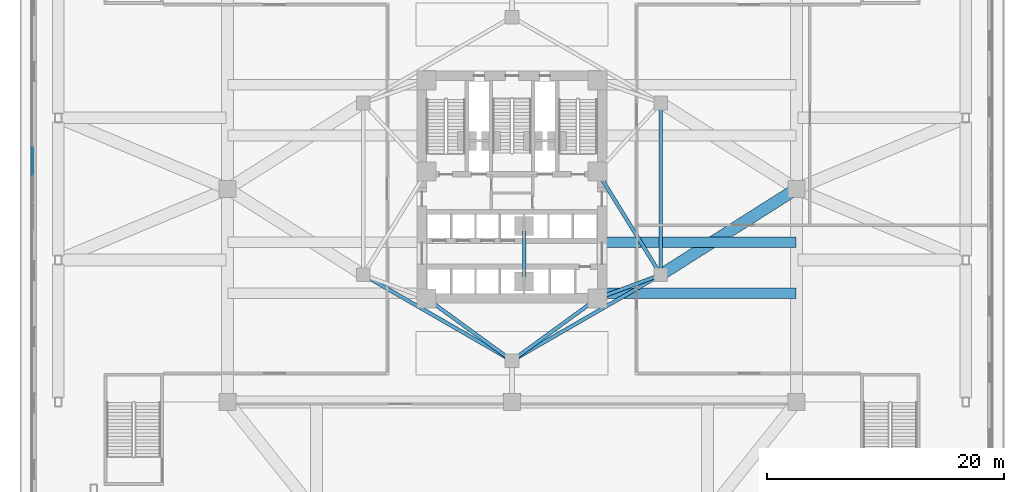
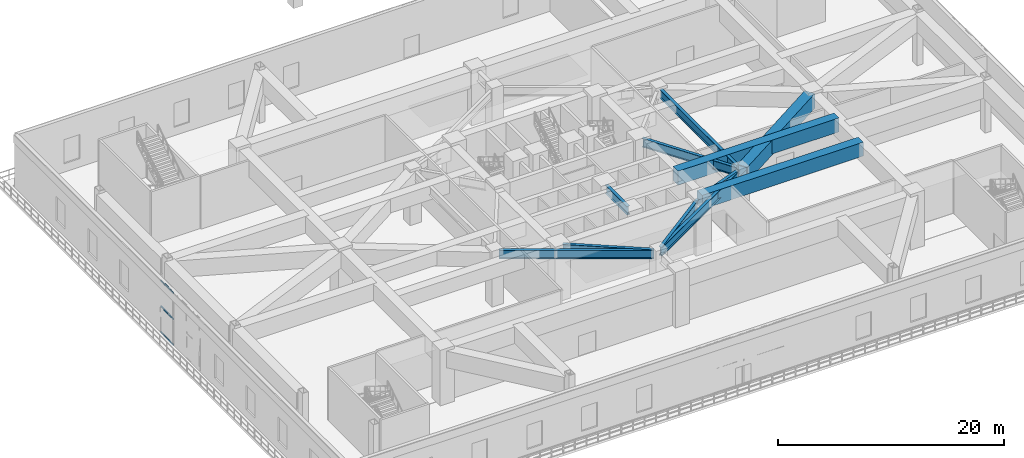
# One storey, part 5 of 25: 11 beams, 3 members, 1 element without a shape of its own.
"""IFC4 building model written with IfcOpenShell, lengths in metres."""

from ifc_helpers import new_model, si_unit, direction, frame, origin, origin_2d, place, context, subcontext, project, spatial, rectangle, hollow_rectangle, i_section, extrude, material, layer, layer_set, material_profile, profile_set, type_object, element, aggregate, save


model = new_model("IFC4")

# Units and contexts
model_context = context("Model", 3, precision=1e-05, world=origin(), true_north=direction((0.0, 1.0)))
body_context = subcontext(model_context, "Body", "Model", "MODEL_VIEW")
ifc_project = project(units=[si_unit("LENGTHUNIT", "METRE"), si_unit("AREAUNIT", "SQUARE_METRE"), si_unit("VOLUMEUNIT", "CUBIC_METRE"), si_unit("PLANEANGLEUNIT", "RADIAN"), si_unit("MASSUNIT", "GRAM", prefix="KILO")], contexts=[model_context])

# Site, building, storey
site_placement = place(None, origin())
site = spatial("IfcSite", under=ifc_project, at=site_placement, CompositionType="ELEMENT")
building_placement = place(site_placement, origin())
building = spatial("IfcBuilding", under=site, at=building_placement, Name="Apsidion Concourse Tower", CompositionType="ELEMENT")
storey_placement = place(building_placement, frame((0.0, 0.0, 11.5)))
storey = spatial("IfcBuildingStorey", under=building, at=storey_placement, Name="L02", CompositionType="ELEMENT", Elevation=11.5)

# Beams
ifc_material_1 = material(Name="Structural steel ASTM A992 Grade 50", Category="steel")
ifc_material_profile_1 = material_profile(ifc_material_1, i_section(OverallWidth=0.31005859375, OverallDepth=0.931884765625, WebThickness=0.02099609375, FlangeThickness=0.034423828125, at=origin_2d()), Name="W36X210")
ifc_profile_set_1 = profile_set([ifc_material_profile_1], Name="Structural steel ASTM A992 Grade 50")
beam_type_1 = type_object("IfcBeamType", Name="BM-G-W36", PredefinedType="USERDEFINED", material=ifc_profile_set_1)
beam_1_placement = place(storey_placement, frame((12.185302734375, -7.389892578125, 5.23388671875), z_axis=(-0.936913021145, -0.349562570664, 0.0), x_axis=(0.349562570664, -0.936913021145, 0.0)))
element("IfcBeam", 1, at=beam_1_placement, inside=storey, type_object=beam_type_1, Name="L02 Core Coupling Girder IC2-SC2", ObjectType="GIRDER", PredefinedType="USERDEFINED", context=body_context, shape_type="SweptSolid", body=[
    extrude(i_section(OverallWidth=0.31005859375, OverallDepth=0.931884765625, WebThickness=0.02099609375, FlangeThickness=0.034423828125, at=origin_2d()), origin(), (0.0, 0.0, 1.0), 4.921142578125),
])
beam_2_placement = place(storey_placement, frame((12.35009765625, -6.909423828125, 5.23388671875), z_axis=(-0.524524009763, 0.851395656074, 0.0), x_axis=(-0.851395656074, -0.524524009763, 0.0)))
element("IfcBeam", 2, at=beam_2_placement, inside=storey, type_object=beam_type_1, Name="L02 Core Coupling Girder IC2-SC3", ObjectType="GIRDER", PredefinedType="USERDEFINED", context=body_context, shape_type="SweptSolid", body=[
    extrude(i_section(OverallWidth=0.31005859375, OverallDepth=0.931884765625, WebThickness=0.02099609375, FlangeThickness=0.034423828125, at=origin_2d()), origin(), (0.0, 0.0, 1.0), 9.41845703125),
])
for number, where, z_axis, x_axis, name in (
    (3, (-0.3232421875, -14.264404296875, 5.23388671875), (-0.807993498909, 0.589191399905, 0.0), (-0.589191399905, -0.807993498909, 0.0), "L02 Core Coupling Girder IC6-SC1"),
    (4, (0.3232421875, -14.264404296875, 5.23388671875), (0.807993498909, 0.589191399905, 0.0), (-0.589191399905, 0.807993498909, 0.0), "L02 Core Coupling Girder IC6-SC2"),
):
    element("IfcBeam", number, at=place(storey_placement, frame(where, z_axis=z_axis, x_axis=x_axis)), inside=storey, type_object=beam_type_1, Name=name, ObjectType="GIRDER", PredefinedType="USERDEFINED", context=body_context, shape_type="SweptSolid", body=[
        extrude(i_section(OverallWidth=0.31005859375, OverallDepth=0.931884765625, WebThickness=0.02099609375, FlangeThickness=0.034423828125, at=origin_2d()), origin(), (0.0, 0.0, 1.0), 8.11083984375),
    ])
beam_3_placement = place(storey_placement, frame((12.56005859375, 6.85009765625, 5.23388671875), z_axis=(0.0, -1.0, 0.0), x_axis=(1.0, 0.0, 0.0)))
element("IfcBeam", 5, at=beam_3_placement, inside=storey, type_object=beam_type_1, Name="L02 Core Coupling Girder IC3-IC2", ObjectType="GIRDER", PredefinedType="USERDEFINED", context=body_context, shape_type="SweptSolid", body=[
    extrude(i_section(OverallWidth=0.31005859375, OverallDepth=0.931884765625, WebThickness=0.02099609375, FlangeThickness=0.034423828125, at=origin_2d()), origin(), (0.0, 0.0, 1.0), 13.7001953125),
])
for number, where, z_axis, x_axis, name in (
    (6, (12.213623046875, -7.449951171875, 5.23388671875), (-0.866070471464, -0.499921932364, 0.0), (0.499921932364, -0.866070471464, 0.0), "L02 Core Coupling Girder IC2-IC6"),
    (7, (-0.346435546875, -14.300048828125, 5.23388671875), (-0.866070471464, 0.499921932364, 0.0), (-0.499921932364, -0.866070471464, 0.0), "L02 Core Coupling Girder IC6-IC1"),
):
    element("IfcBeam", number, at=place(storey_placement, frame(where, z_axis=z_axis, x_axis=x_axis)), inside=storey, type_object=beam_type_1, Name=name, ObjectType="GIRDER", PredefinedType="USERDEFINED", context=body_context, shape_type="SweptSolid", body=[
        extrude(i_section(OverallWidth=0.31005859375, OverallDepth=0.931884765625, WebThickness=0.02099609375, FlangeThickness=0.034423828125, at=origin_2d()), origin(), (0.0, 0.0, 1.0), 13.702392578125),
    ])
beam_4_placement = place(storey_placement, frame((1.02490234375, -3.550048828125, 5.23388671875), z_axis=(0.0, -1.0, 0.0), x_axis=(1.0, 0.0, 0.0)))
element("IfcBeam", 8, at=beam_4_placement, inside=storey, type_object=beam_type_1, Name="L02 Core Coupling Girder CC5-CC6", ObjectType="GIRDER", PredefinedType="USERDEFINED", context=body_context, shape_type="SweptSolid", body=[
    extrude(i_section(OverallWidth=0.31005859375, OverallDepth=0.931884765625, WebThickness=0.02099609375, FlangeThickness=0.034423828125, at=origin_2d()), origin(), (0.0, 0.0, 1.0), 3.849853515625),
])
ifc_material_2 = material(Name="Concrete C50/60", Category="concrete")
ifc_material_profile_2 = material_profile(ifc_material_2, rectangle(XDim=0.89990234375, YDim=1.5, at=origin_2d()), Name="RC 900x1500")
ifc_profile_set_2 = profile_set([ifc_material_profile_2], Name="Concrete C50/60")
beam_type_2 = type_object("IfcBeamType", Name="BM-TB-RC15", PredefinedType="T_BEAM", material=ifc_profile_set_2)
for number, where, z_axis, x_axis, name in (
    (9, (7.5, -8.800048828125, 4.949951171875), (1.0, 0.0, 0.0), (0.0, 1.0, 0.0), "L02 Convention Long-Span Tee Beam E1"),
    (10, (7.5, -4.5, 4.949951171875), (1.0, 0.0, 0.0), (0.0, 1.0, 0.0), "L02 Convention Long-Span Tee Beam E2"),
):
    element("IfcBeam", number, at=place(storey_placement, frame(where, z_axis=z_axis, x_axis=x_axis)), inside=storey, type_object=beam_type_2, Name=name, PredefinedType="T_BEAM", context=body_context, shape_type="SweptSolid", body=[
        extrude(rectangle(XDim=0.89990234375, YDim=1.5, at=origin_2d()), origin(), (0.0, 0.0, 1.0), 16.449951171875),
    ])
ifc_material_3 = material(Name="Structural steel ASTM A572 Grade 50", Category="steel")
ifc_material_profile_3 = material_profile(ifc_material_3, hollow_rectangle(XDim=1.0, YDim=1.60009765625, WallThickness=0.074951171875, at=origin_2d()), Name="BOX1600X1000X75")
ifc_profile_set_3 = profile_set([ifc_material_profile_3], Name="Structural steel ASTM A572 Grade 50")
beam_type_3 = type_object("IfcBeamType", Name="BM-TR-1600", PredefinedType="USERDEFINED", material=ifc_profile_set_3)
beam_5_placement = place(storey_placement, frame((23.704345703125, -0.1875, 4.89990234375), z_axis=(-0.844671254714, -0.535285411215, 0.0), x_axis=(0.535285411215, -0.844671254714, 0.0)))
element("IfcBeam", 11, at=beam_5_placement, inside=storey, type_object=beam_type_3, Name="L02 Podium Girder MC4-IC2", ObjectType="GIRDER", PredefinedType="USERDEFINED", context=body_context, shape_type="SweptSolid", body=[
    extrude(hollow_rectangle(XDim=1.0, YDim=1.60009765625, WallThickness=0.074951171875, at=origin_2d()), origin(), (0.0, 0.0, 1.0), 12.843505859375),
])

# Curtain wall, members
ifc_material_4 = material(Name="Insulated laminated low-E glass", Category="glass")
ifc_layer = layer(ifc_material_4, 0.199951171875)
ifc_layer_set = layer_set([ifc_layer], Name="Insulated laminated low-E glass")
curtain_wall_type = type_object("IfcCurtainWallType", Name="CW-SYS-02", PredefinedType="NOTDEFINED", material=ifc_layer_set)
curtain_wall_placement = place(storey_placement, origin())
curtain_wall = element("IfcCurtainWall", 12, at=curtain_wall_placement, inside=storey, type_object=curtain_wall_type, Name="L02 Podium Glazed Curtain Wall W", PredefinedType="NOTDEFINED")
ifc_material_5 = material(Name="Anodised aluminium EN AW-6063 T6", Category="aluminium")
ifc_material_profile_4 = material_profile(ifc_material_5, rectangle(XDim=0.06494140625, YDim=0.139892578125, at=origin_2d()), Name="ALU TRANSOM 65x140")
ifc_profile_set_4 = profile_set([ifc_material_profile_4], Name="Anodised aluminium EN AW-6063 T6")
member_type = type_object("IfcMemberType", Name="CWT-65X140", PredefinedType="USERDEFINED", material=ifc_profile_set_4)
member_1_placement = place(storey_placement, frame((-40.43994140625, 1.20458984375, 0.032470703125), z_axis=(0.0, 1.0, 0.0), x_axis=(-1.0, 0.0, 0.0)))
member_1 = element("IfcMember", 13, at=member_1_placement, type_object=member_type, Name="CW-02 transom 3.1", ObjectType="TRANSOM", PredefinedType="USERDEFINED", context=body_context, shape_type="SweptSolid", body=[
    extrude(rectangle(XDim=0.06494140625, YDim=0.139892578125, at=origin_2d()), origin(), (0.0, 0.0, 1.0), 2.246337890625),
])
member_2_placement = place(storey_placement, frame((-40.43994140625, 1.20458984375, 2.824951171875), z_axis=(0.0, 1.0, 0.0), x_axis=(-1.0, 0.0, 0.0)))
member_2 = element("IfcMember", 14, at=member_2_placement, type_object=member_type, Name="CW-02 transom 3.2", ObjectType="TRANSOM", PredefinedType="USERDEFINED", context=body_context, shape_type="SweptSolid", body=[
    extrude(rectangle(XDim=0.06494140625, YDim=0.139892578125, at=origin_2d()), origin(), (0.0, 0.0, 1.0), 2.246337890625),
])
member_3_placement = place(storey_placement, frame((-40.43994140625, 1.20458984375, 5.617431640625), z_axis=(0.0, 1.0, 0.0), x_axis=(-1.0, 0.0, 0.0)))
member_3 = element("IfcMember", 15, at=member_3_placement, type_object=member_type, Name="CW-02 transom 3.3", ObjectType="TRANSOM", PredefinedType="USERDEFINED", context=body_context, shape_type="SweptSolid", body=[
    extrude(rectangle(XDim=0.06494140625, YDim=0.139892578125, at=origin_2d()), origin(), (0.0, 0.0, 1.0), 2.246337890625),
])
aggregate(curtain_wall, [member_1, member_2, member_3])

save(model, "model.ifc")
